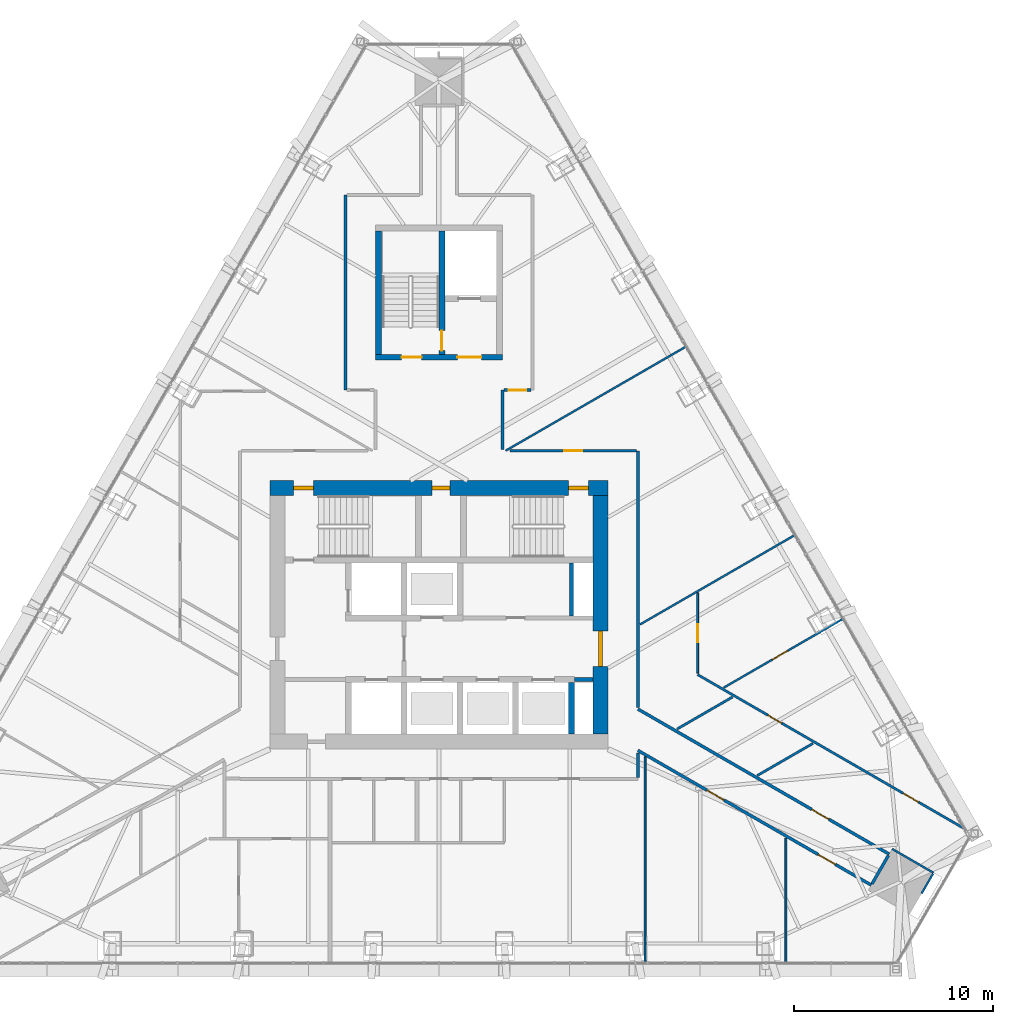
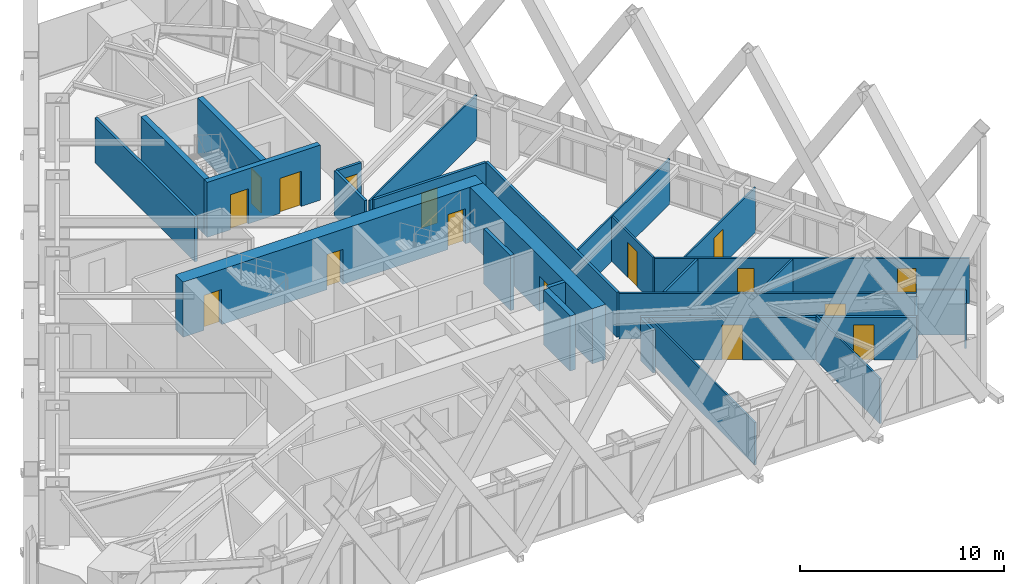
# One storey, part 22 of 25: 28 walls, 16 doors, 16 openings.
"""IFC4 building model written with IfcOpenShell, lengths in metres."""

from ifc_helpers import new_model, si_unit, direction, frame, frame_2d, origin, place, context, subcontext, project, spatial, rectangle, extrude, material, layer, layer_set, type_object, element, fill, save


model = new_model("IFC4")

# Units and contexts
model_context = context("Model", 3, precision=1e-05, world=origin(), true_north=direction((0.0, 1.0)))
body_context = subcontext(model_context, "Body", "Model", "MODEL_VIEW")
ifc_project = project(units=[si_unit("LENGTHUNIT", "METRE"), si_unit("AREAUNIT", "SQUARE_METRE"), si_unit("VOLUMEUNIT", "CUBIC_METRE"), si_unit("PLANEANGLEUNIT", "RADIAN"), si_unit("MASSUNIT", "GRAM", prefix="KILO")], contexts=[model_context])

# Site, building, storey
site_placement = place(None, origin())
site = spatial("IfcSite", under=ifc_project, at=site_placement, CompositionType="ELEMENT")
building_placement = place(site_placement, origin())
building = spatial("IfcBuilding", under=site, at=building_placement, Name="Firuza Gate Tower and Library", CompositionType="ELEMENT")
storey_placement = place(building_placement, frame((0.0, 0.0, 270.60009765625)))
storey = spatial("IfcBuildingStorey", under=building, at=storey_placement, Name="L64", CompositionType="ELEMENT", Elevation=270.60009765625)

# Walls
ifc_material_1 = material(Name="Plasterboard on steel studs", Category="steel")
ifc_layer_1 = layer(ifc_material_1, 0.199951171875)
ifc_layer_set_1 = layer_set([ifc_layer_1], Name="Core partition 200 EI 120")
wall_type_1 = type_object("IfcWallType", Name="Core partition 200 EI 120", PredefinedType="PARTITIONING", material=ifc_layer_set_1)
wall_1_placement = place(storey_placement, frame((81.800048828125, 71.75, 0.0), z_axis=(0.0, 0.0, 1.0), x_axis=(1.0, 0.0, 0.0)))
element("IfcWall", 1, at=wall_1_placement, inside=storey, type_object=wall_type_1, Name="Core partition L64 2", PredefinedType="PARTITIONING", context=body_context, shape_type="SweptSolid", body=[
    extrude(rectangle(XDim=0.949951171875, YDim=0.199951171875, at=frame_2d((0.47509765625, 0.0))), origin(), (0.0, 0.0, 1.0), 3.2998046875),
])
wall_2_placement = place(storey_placement, frame((81.64990234375, 74.949951171875, 0.0), z_axis=(0.0, 0.0, 1.0), x_axis=(0.0, 1.0, 0.0)))
element("IfcWall", 2, at=wall_2_placement, inside=storey, type_object=wall_type_1, Name="Core partition L64 5", PredefinedType="PARTITIONING", context=body_context, shape_type="SweptSolid", body=[
    extrude(rectangle(XDim=2.650146484375, YDim=0.199951171875, at=frame_2d((1.3251953125, 0.0))), origin(), (0.0, 0.0, 1.0), 3.2998046875),
])
ifc_material_2 = material(Name="Concrete C60/75", Category="concrete")
ifc_layer_2 = layer(ifc_material_2, 0.300048828125)
ifc_layer_set_2 = layer_set([ifc_layer_2], Name="Core wall 300 C60/75")
wall_type_2 = type_object("IfcWallType", Name="Core wall 300 C60/75", PredefinedType="SHEAR", material=ifc_layer_set_2)
wall_3_placement = place(storey_placement, frame((81.64990234375, 69.0, 0.0), z_axis=(0.0, 0.0, 1.0), x_axis=(0.0, 1.0, 0.0)))
element("IfcWall", 3, at=wall_3_placement, inside=storey, type_object=wall_type_2, Name="Core wall L64 14", PredefinedType="SHEAR", context=body_context, shape_type="SweptSolid", body=[
    extrude(rectangle(XDim=2.60009765625, YDim=0.300048828125, at=frame_2d((1.300048828125, 0.0))), origin(), (0.0, 0.0, 1.0), 3.2998046875),
])

# Wall, openings, doors
wall_4_placement = place(storey_placement, frame((71.800048828125, 87.949951171875, 0.0), z_axis=(0.0, 0.0, 1.0), x_axis=(1.0, 0.0, 0.0)))
wall_4 = element("IfcWall", 4, at=wall_4_placement, inside=storey, type_object=wall_type_2, Name="Core wall L64 18", PredefinedType="SHEAR", context=body_context, shape_type="SweptSolid", body=[
    extrude(rectangle(XDim=6.39990234375, YDim=0.300048828125, at=frame_2d((3.199951171875, 0.0))), origin(), (0.0, 0.0, 1.0), 3.2998046875),
])
opening_1_placement = place(wall_4_placement, frame((1.324951171875, 0.0, 0.0)))
opening_1 = element("IfcOpeningElement", 5, at=opening_1_placement, cuts=wall_4, Name="Opening L64-K11", PredefinedType="OPENING", context=body_context, shape_type="SweptSolid", body=[
    extrude(rectangle(XDim=1.0, YDim=2.10009765625, at=frame_2d((0.5, 1.050048828125))), frame((0.0, 0.16015625, 0.0), z_axis=(0.0, -1.0, 0.0), x_axis=(1.0, 0.0, 0.0)), (0.0, 0.0, 1.0), 0.320068359375),
])
opening_2_placement = place(wall_4_placement, frame((4.125, 0.0, 0.0)))
opening_2 = element("IfcOpeningElement", 6, at=opening_2_placement, cuts=wall_4, Name="Opening L64-K13", PredefinedType="OPENING", context=body_context, shape_type="SweptSolid", body=[
    extrude(rectangle(XDim=1.199951171875, YDim=2.10009765625, at=frame_2d((0.60009765625, 1.050048828125))), frame((0.0, 0.16015625, 0.0), z_axis=(0.0, -1.0, 0.0), x_axis=(1.0, 0.0, 0.0)), (0.0, 0.0, 1.0), 0.320068359375),
])
ifc_material_3 = material(Name="Steel", Category="steel")
door_type_1 = type_object("IfcDoorType", Name="Fire door 1000x2100 FD90", OperationType="NOTDEFINED", PredefinedType="DOOR", material=ifc_material_3)
door_1_placement = place(opening_1_placement, origin())
door_1 = element("IfcDoor", 7, at=door_1_placement, inside=storey, type_object=door_type_1, Name="Door L64-K11", OperationType="SINGLE_SWING_RIGHT", OverallHeight=2.10009765625, OverallWidth=1.0, PredefinedType="DOOR", context=body_context, shape_type="SweptSolid", body=[
    extrude(rectangle(XDim=1.0, YDim=2.10009765625, at=frame_2d((0.5, 1.050048828125))), frame((0.0, 0.02490234375, 0.0), z_axis=(0.0, -1.0, 0.0), x_axis=(1.0, 0.0, 0.0)), (0.0, 0.0, 1.0), 0.050048828125),
])
fill(opening_1, door_1)
ifc_material_4 = material(Name="Steel", Category="steel")
door_type_2 = type_object("IfcDoorType", Name="Fire door 1200x2100 FD30S", OperationType="NOTDEFINED", PredefinedType="DOOR", material=ifc_material_4)
door_2_placement = place(opening_2_placement, origin())
door_2 = element("IfcDoor", 8, at=door_2_placement, inside=storey, type_object=door_type_2, Name="Door L64-K13", OperationType="SINGLE_SWING_RIGHT", OverallHeight=2.10009765625, OverallWidth=1.199951171875, PredefinedType="DOOR", context=body_context, shape_type="SweptSolid", body=[
    extrude(rectangle(XDim=1.199951171875, YDim=2.10009765625, at=frame_2d((0.60009765625, 1.050048828125))), frame((0.0, 0.02490234375, 0.0), z_axis=(0.0, -1.0, 0.0), x_axis=(1.0, 0.0, 0.0)), (0.0, 0.0, 1.0), 0.050048828125),
])
fill(opening_2, door_2)

# Wall
wall_5_placement = place(storey_placement, frame((71.949951171875, 88.10009765625, 0.0), z_axis=(0.0, 0.0, 1.0), x_axis=(0.0, 1.0, 0.0)))
element("IfcWall", 9, at=wall_5_placement, inside=storey, type_object=wall_type_2, Name="Core wall L64 20", PredefinedType="SHEAR", context=body_context, shape_type="SweptSolid", body=[
    extrude(rectangle(XDim=6.199951171875, YDim=0.300048828125, at=frame_2d((3.10009765625, 0.0))), origin(), (0.0, 0.0, 1.0), 3.2998046875),
])

# Wall, opening, door
wall_6_placement = place(storey_placement, frame((75.14990234375, 88.10009765625, 0.0), z_axis=(0.0, 0.0, 1.0), x_axis=(0.0, 1.0, 0.0)))
wall_6 = element("IfcWall", 10, at=wall_6_placement, inside=storey, type_object=wall_type_2, Name="Core wall L64 23", PredefinedType="SHEAR", context=body_context, shape_type="SweptSolid", body=[
    extrude(rectangle(XDim=6.199951171875, YDim=0.300048828125, at=frame_2d((3.10009765625, 0.0))), origin(), (0.0, 0.0, 1.0), 3.2998046875),
])
opening_3_placement = place(wall_6_placement, frame((0.18505859375, 0.0, 0.0)))
opening_3 = element("IfcOpeningElement", 11, at=opening_3_placement, cuts=wall_6, Name="Opening L64-K12", PredefinedType="OPENING", context=body_context, shape_type="SweptSolid", body=[
    extrude(rectangle(XDim=1.0, YDim=2.10009765625, at=frame_2d((0.5, 1.050048828125))), frame((0.0, 0.16015625, 0.0), z_axis=(0.0, -1.0, 0.0), x_axis=(1.0, 0.0, 0.0)), (0.0, 0.0, 1.0), 0.320068359375),
])
door_3_placement = place(opening_3_placement, origin())
door_3 = element("IfcDoor", 12, at=door_3_placement, inside=storey, type_object=door_type_1, Name="Door L64-K12", OperationType="SINGLE_SWING_LEFT", OverallHeight=2.10009765625, OverallWidth=1.0, PredefinedType="DOOR", context=body_context, shape_type="SweptSolid", body=[
    extrude(rectangle(XDim=1.0, YDim=2.10009765625, at=frame_2d((0.5, 1.050048828125))), frame((0.0, 0.02490234375, 0.0), z_axis=(0.0, -1.0, 0.0), x_axis=(1.0, 0.0, 0.0)), (0.0, 0.0, 1.0), 0.050048828125),
])
fill(opening_3, door_3)

# Wall, openings, doors
ifc_material_5 = material(Name="Concrete C60/75", Category="concrete")
ifc_layer_3 = layer(ifc_material_5, 0.75)
ifc_layer_set_3 = layer_set([ifc_layer_3], Name="Core wall 750 C60/75")
wall_type_3 = type_object("IfcWallType", Name="Core wall 750 C60/75", PredefinedType="SHEAR", material=ifc_layer_set_3)
wall_7_placement = place(storey_placement, frame((66.5, 81.375, 0.0), z_axis=(0.0, 0.0, 1.0), x_axis=(1.0, 0.0, 0.0)))
wall_7 = element("IfcWall", 13, at=wall_7_placement, inside=storey, type_object=wall_type_3, Name="Core wall L64 2", PredefinedType="SHEAR", context=body_context, shape_type="SweptSolid", body=[
    extrude(rectangle(XDim=17.0, YDim=0.75, at=frame_2d((8.5, 0.0))), origin(), (0.0, 0.0, 1.0), 3.2998046875),
])
opening_4_placement = place(wall_7_placement, frame((1.195068359375, 0.0, 0.0)))
opening_4 = element("IfcOpeningElement", 14, at=opening_4_placement, cuts=wall_7, Name="Opening L64-K09", PredefinedType="OPENING", context=body_context, shape_type="SweptSolid", body=[
    extrude(rectangle(XDim=1.0, YDim=2.10009765625, at=frame_2d((0.5, 1.050048828125))), frame((0.0, 0.385009765625, 0.0), z_axis=(0.0, -1.0, 0.0), x_axis=(1.0, 0.0, 0.0)), (0.0, 0.0, 1.0), 0.77001953125),
])
opening_5_placement = place(wall_7_placement, frame((15.0048828125, 0.0, 0.0)))
opening_5 = element("IfcOpeningElement", 15, at=opening_5_placement, cuts=wall_7, Name="Opening L64-K10", PredefinedType="OPENING", context=body_context, shape_type="SweptSolid", body=[
    extrude(rectangle(XDim=1.0, YDim=2.10009765625, at=frame_2d((0.5, 1.050048828125))), frame((0.0, 0.385009765625, 0.0), z_axis=(0.0, -1.0, 0.0), x_axis=(1.0, 0.0, 0.0)), (0.0, 0.0, 1.0), 0.77001953125),
])
opening_6_placement = place(wall_7_placement, frame((8.14990234375, 0.0, 0.0)))
opening_6 = element("IfcOpeningElement", 16, at=opening_6_placement, cuts=wall_7, Name="Opening L64-K19", PredefinedType="OPENING", context=body_context, shape_type="SweptSolid", body=[
    extrude(rectangle(XDim=0.89990234375, YDim=2.10009765625, at=frame_2d((0.449951171875, 1.050048828125))), frame((0.0, 0.385009765625, 0.0), z_axis=(0.0, -1.0, 0.0), x_axis=(1.0, 0.0, 0.0)), (0.0, 0.0, 1.0), 0.77001953125),
])
door_4_placement = place(opening_4_placement, origin())
door_4 = element("IfcDoor", 17, at=door_4_placement, inside=storey, type_object=door_type_1, Name="Door L64-K09", OperationType="SINGLE_SWING_RIGHT", OverallHeight=2.10009765625, OverallWidth=1.0, PredefinedType="DOOR", context=body_context, shape_type="SweptSolid", body=[
    extrude(rectangle(XDim=1.0, YDim=2.10009765625, at=frame_2d((0.5, 1.050048828125))), frame((0.0, 0.094970703125, 0.0), z_axis=(0.0, -1.0, 0.0), x_axis=(1.0, 0.0, 0.0)), (0.0, 0.0, 1.0), 0.18994140625),
])
fill(opening_4, door_4)
door_5_placement = place(opening_5_placement, origin())
door_5 = element("IfcDoor", 18, at=door_5_placement, inside=storey, type_object=door_type_1, Name="Door L64-K10", OperationType="SINGLE_SWING_LEFT", OverallHeight=2.10009765625, OverallWidth=1.0, PredefinedType="DOOR", context=body_context, shape_type="SweptSolid", body=[
    extrude(rectangle(XDim=1.0, YDim=2.10009765625, at=frame_2d((0.5, 1.050048828125))), frame((0.0, 0.094970703125, 0.0), z_axis=(0.0, -1.0, 0.0), x_axis=(1.0, 0.0, 0.0)), (0.0, 0.0, 1.0), 0.18994140625),
])
fill(opening_5, door_5)
ifc_material_6 = material(Name="Steel", Category="steel")
door_type_3 = type_object("IfcDoorType", Name="Fire door 900x2100 FD30S", OperationType="NOTDEFINED", PredefinedType="DOOR", material=ifc_material_6)
door_6_placement = place(opening_6_placement, origin())
door_6 = element("IfcDoor", 19, at=door_6_placement, inside=storey, type_object=door_type_3, Name="Door L64-K19", OperationType="SINGLE_SWING_RIGHT", OverallHeight=2.10009765625, OverallWidth=0.89990234375, PredefinedType="DOOR", context=body_context, shape_type="SweptSolid", body=[
    extrude(rectangle(XDim=0.89990234375, YDim=2.10009765625, at=frame_2d((0.449951171875, 1.050048828125))), frame((0.0, 0.094970703125, 0.0), z_axis=(0.0, -1.0, 0.0), x_axis=(1.0, 0.0, 0.0)), (0.0, 0.0, 1.0), 0.18994140625),
])
fill(opening_6, door_6)

# Wall, opening, door
wall_8_placement = place(storey_placement, frame((83.125, 69.0, 0.0), z_axis=(0.0, 0.0, 1.0), x_axis=(0.0, 1.0, 0.0)))
wall_8 = element("IfcWall", 20, at=wall_8_placement, inside=storey, type_object=wall_type_3, Name="Core wall L64 4", PredefinedType="SHEAR", context=body_context, shape_type="SweptSolid", body=[
    extrude(rectangle(XDim=12.0, YDim=0.75, at=frame_2d((6.0, 0.0))), origin(), (0.0, 0.0, 1.0), 3.2998046875),
])
opening_7_placement = place(wall_8_placement, frame((3.39990234375, 0.0, 0.0)))
opening_7 = element("IfcOpeningElement", 21, at=opening_7_placement, cuts=wall_8, Name="Opening L64-K16", PredefinedType="OPENING", context=body_context, shape_type="SweptSolid", body=[
    extrude(rectangle(XDim=1.800048828125, YDim=2.10009765625, at=frame_2d((0.89990234375, 1.050048828125))), frame((0.0, 0.385009765625, 0.0), z_axis=(0.0, -1.0, 0.0), x_axis=(1.0, 0.0, 0.0)), (0.0, 0.0, 1.0), 0.77001953125),
])
ifc_material_7 = material(Name="Steel", Category="steel")
door_type_4 = type_object("IfcDoorType", Name="Fire door 1800x2100 FD30S", OperationType="NOTDEFINED", PredefinedType="DOOR", material=ifc_material_7)
door_7_placement = place(opening_7_placement, origin())
door_7 = element("IfcDoor", 22, at=door_7_placement, inside=storey, type_object=door_type_4, Name="Door L64-K16", OperationType="SINGLE_SWING_LEFT", OverallHeight=2.10009765625, OverallWidth=1.800048828125, PredefinedType="DOOR", context=body_context, shape_type="SweptSolid", body=[
    extrude(rectangle(XDim=1.800048828125, YDim=2.10009765625, at=frame_2d((0.89990234375, 1.050048828125))), frame((0.0, 0.094970703125, 0.0), z_axis=(0.0, -1.0, 0.0), x_axis=(1.0, 0.0, 0.0)), (0.0, 0.0, 1.0), 0.18994140625),
])
fill(opening_7, door_7)

ifc_material_8 = material(Name="Gypsum board partition")
ifc_layer_4 = layer(ifc_material_8, 0.14990234375)
ifc_layer_set_4 = layer_set([ifc_layer_4], Name="Corridor wall 150 double board on steel studs")
wall_type_4 = type_object("IfcWallType", Name="Corridor wall 150 double board on steel studs", PredefinedType="PARTITIONING", material=ifc_layer_set_4)
wall_9_placement = place(storey_placement, frame((84.924560546875, 83.25, 0.0), z_axis=(0.0, 0.0, 1.0), x_axis=(-1.0, 0.0, 0.0)))
wall_9 = element("IfcWall", 23, at=wall_9_placement, inside=storey, type_object=wall_type_4, Name="f:L64:w007", PredefinedType="PARTITIONING", context=body_context, shape_type="SweptSolid", body=[
    extrude(rectangle(XDim=6.344482421875, YDim=0.14990234375, at=frame_2d((3.17236328125, 0.0))), origin(), (0.0, 0.0, 1.0), 2.699951171875),
])
opening_8_placement = place(wall_9_placement, frame((2.72216796875, 0.0, 0.0)))
opening_8 = element("IfcOpeningElement", 24, at=opening_8_placement, cuts=wall_9, Name="Opening L64-08", PredefinedType="OPENING", context=body_context, shape_type="SweptSolid", body=[
    extrude(rectangle(XDim=0.89990234375, YDim=2.10009765625, at=frame_2d((0.449951171875, 1.050048828125))), frame((0.0, 0.0849609375, 0.0), z_axis=(0.0, -1.0, 0.0), x_axis=(1.0, 0.0, 0.0)), (0.0, 0.0, 1.0), 0.169921875),
])
ifc_material_9 = material(Name="Steel door and timber leaf", Category="steel")
door_type_5 = type_object("IfcDoorType", Name="Fire door 900 x 2100 steel frame, timber leaf", OperationType="NOTDEFINED", PredefinedType="DOOR", material=ifc_material_9)
door_8_placement = place(opening_8_placement, origin())
door_8 = element("IfcDoor", 25, at=door_8_placement, inside=storey, type_object=door_type_5, Name="f:L64:d008", OperationType="SINGLE_SWING_LEFT", OverallHeight=2.10009765625, OverallWidth=0.89990234375, PredefinedType="DOOR", context=body_context, shape_type="SweptSolid", body=[
    extrude(rectangle(XDim=0.89990234375, YDim=2.10009765625, at=frame_2d((0.449951171875, 1.050048828125))), frame((0.0, 0.02490234375, 0.0), z_axis=(0.0, -1.0, 0.0), x_axis=(1.0, 0.0, 0.0)), (0.0, 0.0, 1.0), 0.050048828125),
])
fill(opening_8, door_8)

wall_10_placement = place(storey_placement, frame((78.275146484375, 86.300048828125, 0.0), z_axis=(0.0, 0.0, 1.0), x_axis=(1.0, 0.0, 0.0)))
wall_10 = element("IfcWall", 26, at=wall_10_placement, inside=storey, type_object=wall_type_4, Name="f:L64:w010", PredefinedType="PARTITIONING", context=body_context, shape_type="SweptSolid", body=[
    extrude(rectangle(XDim=1.347900390625, YDim=0.14990234375, at=frame_2d((0.673828125, 0.0))), origin(), (0.0, 0.0, 1.0), 2.699951171875),
])
opening_9_placement = place(wall_10_placement, frame((0.223876953125, 0.0, 0.0)))
opening_9 = element("IfcOpeningElement", 27, at=opening_9_placement, cuts=wall_10, Name="Opening L64-11", PredefinedType="OPENING", context=body_context, shape_type="SweptSolid", body=[
    extrude(rectangle(XDim=0.89990234375, YDim=2.10009765625, at=frame_2d((0.449951171875, 1.050048828125))), frame((0.0, 0.0849609375, 0.0), z_axis=(0.0, -1.0, 0.0), x_axis=(1.0, 0.0, 0.0)), (0.0, 0.0, 1.0), 0.169921875),
])
door_9_placement = place(opening_9_placement, origin())
door_9 = element("IfcDoor", 28, at=door_9_placement, inside=storey, type_object=door_type_5, Name="f:L64:d011", OperationType="SINGLE_SWING_LEFT", OverallHeight=2.10009765625, OverallWidth=0.89990234375, PredefinedType="DOOR", context=body_context, shape_type="SweptSolid", body=[
    extrude(rectangle(XDim=0.89990234375, YDim=2.10009765625, at=frame_2d((0.449951171875, 1.050048828125))), frame((0.0, 0.02490234375, 0.0), z_axis=(0.0, -1.0, 0.0), x_axis=(1.0, 0.0, 0.0)), (0.0, 0.0, 1.0), 0.050048828125),
])
fill(opening_9, door_9)

# Walls
wall_11_placement = place(storey_placement, frame((96.7685546875, 61.47998046875, 0.0), z_axis=(0.0, 0.0, 1.0), x_axis=(0.500035172766, 0.866005095826, 0.0)))
element("IfcWall", 29, at=wall_11_placement, inside=storey, type_object=wall_type_4, Name="f:L64:w026", PredefinedType="PARTITIONING", context=body_context, shape_type="SweptSolid", body=[
    extrude(rectangle(XDim=1.64453125, YDim=0.14990234375, at=frame_2d((0.822265625, 0.0))), origin(), (0.0, 0.0, 1.0), 2.546875),
])
wall_12_placement = place(storey_placement, frame((85.0, 66.825439453125, 0.0), z_axis=(0.0, 0.0, 1.0), x_axis=(0.0, 1.0, 0.0)))
element("IfcWall", 30, at=wall_12_placement, inside=storey, type_object=wall_type_4, Name="f:L64:w031", PredefinedType="PARTITIONING", context=body_context, shape_type="SweptSolid", body=[
    extrude(rectangle(XDim=1.22509765625, YDim=0.14990234375, at=frame_2d((0.612548828125, 0.0))), origin(), (0.0, 0.0, 1.0), 2.546875),
])
wall_13_placement = place(storey_placement, frame((85.0, 70.352294921875, 0.0), z_axis=(0.0, 0.0, 1.0), x_axis=(0.0, 1.0, 0.0)))
element("IfcWall", 31, at=wall_13_placement, inside=storey, type_object=wall_type_4, Name="f:L64:w032", PredefinedType="PARTITIONING", context=body_context, shape_type="SweptSolid", body=[
    extrude(rectangle(XDim=12.897216796875, YDim=0.14990234375, at=frame_2d((6.44873046875, 0.0))), origin(), (0.0, 0.0, 1.0), 2.699951171875),
])
wall_14_placement = place(storey_placement, frame((78.199951171875, 83.324951171875, 0.0), z_axis=(0.0, 0.0, 1.0), x_axis=(0.0, 1.0, 0.0)))
element("IfcWall", 32, at=wall_14_placement, inside=storey, type_object=wall_type_4, Name="f:L64:w035", PredefinedType="PARTITIONING", context=body_context, shape_type="SweptSolid", body=[
    extrude(rectangle(XDim=2.97509765625, YDim=0.14990234375, at=frame_2d((1.487548828125, 0.0))), origin(), (0.0, 0.0, 1.0), 2.697021484375),
])
wall_15_placement = place(storey_placement, frame((70.300048828125, 86.302001953125, 0.0), z_axis=(0.0, 0.0, 1.0), x_axis=(0.0, 1.0, 0.0)))
element("IfcWall", 33, at=wall_15_placement, inside=storey, type_object=wall_type_4, Name="f:L64:w044", PredefinedType="PARTITIONING", context=body_context, shape_type="SweptSolid", body=[
    extrude(rectangle(XDim=9.7958984375, YDim=0.14990234375, at=frame_2d((4.89794921875, 0.0))), origin(), (0.0, 0.0, 1.0), 2.699951171875),
])

# Wall, opening, door
wall_16_placement = place(storey_placement, frame((85.0, 70.265869140625, 0.0), z_axis=(0.0, 0.0, 1.0), x_axis=(0.866026970734, -0.499997285954, 0.0)))
wall_16 = element("IfcWall", 34, at=wall_16_placement, inside=storey, type_object=wall_type_4, Name="f:L64:w058", PredefinedType="PARTITIONING", context=body_context, shape_type="SweptSolid", body=[
    extrude(rectangle(XDim=14.58447265625, YDim=0.14990234375, at=frame_2d((7.292236328125, 0.0))), origin(), (0.0, 0.0, 1.0), 2.699951171875),
])
opening_10_placement = place(wall_16_placement, frame((10.09423828125, 0.0, 0.0)))
opening_10 = element("IfcOpeningElement", 35, at=opening_10_placement, cuts=wall_16, Name="Opening L64-24", PredefinedType="OPENING", context=body_context, shape_type="SweptSolid", body=[
    extrude(rectangle(XDim=1.0, YDim=2.10009765625, at=frame_2d((0.5, 1.050048828125))), frame((0.0, 0.0849609375, 0.0), z_axis=(0.0, -1.0, 0.0), x_axis=(1.0, 0.0, 0.0)), (0.0, 0.0, 1.0), 0.169921875),
])
ifc_material_10 = material(Name="Steel door and timber leaf", Category="steel")
door_type_6 = type_object("IfcDoorType", Name="Fire door 1000 x 2100 steel frame, timber leaf", OperationType="NOTDEFINED", PredefinedType="DOOR", material=ifc_material_10)
door_10_placement = place(opening_10_placement, origin())
door_10 = element("IfcDoor", 36, at=door_10_placement, inside=storey, type_object=door_type_6, Name="f:L64:d024", OperationType="SINGLE_SWING_LEFT", OverallHeight=2.10009765625, OverallWidth=1.0, PredefinedType="DOOR", context=body_context, shape_type="SweptSolid", body=[
    extrude(rectangle(XDim=1.0, YDim=2.10009765625, at=frame_2d((0.5, 1.050048828125))), frame((0.0, 0.02490234375, 0.0), z_axis=(0.0, -1.0, 0.0), x_axis=(1.0, 0.0, 0.0)), (0.0, 0.0, 1.0), 0.050048828125),
])
fill(opening_10, door_10)

# Wall, openings, doors
wall_17_placement = place(storey_placement, frame((96.730224609375, 61.4150390625, 0.0), z_axis=(0.0, 0.0, 1.0), x_axis=(-0.866032805753, 0.499987179195, 0.0)))
wall_17 = element("IfcWall", 37, at=wall_17_placement, inside=storey, type_object=wall_type_4, Name="f:L64:w059", PredefinedType="PARTITIONING", context=body_context, shape_type="SweptSolid", body=[
    extrude(rectangle(XDim=13.544677734375, YDim=0.14990234375, at=frame_2d((6.7724609375, 0.0))), origin(), (0.0, 0.0, 1.0), 2.546875),
])
opening_11_placement = place(wall_17_placement, frame((2.078369140625, 0.0, 0.0)))
opening_11 = element("IfcOpeningElement", 38, at=opening_11_placement, cuts=wall_17, Name="Opening L64-25", PredefinedType="OPENING", context=body_context, shape_type="SweptSolid", body=[
    extrude(rectangle(XDim=1.0, YDim=2.10009765625, at=frame_2d((0.5, 1.050048828125))), frame((0.0, 0.0849609375, 0.0), z_axis=(0.0, -1.0, 0.0), x_axis=(1.0, 0.0, 0.0)), (0.0, 0.0, 1.0), 0.169921875),
])
opening_12_placement = place(wall_17_placement, frame((8.540283203125, 0.0, 0.0)))
opening_12 = element("IfcOpeningElement", 39, at=opening_12_placement, cuts=wall_17, Name="Opening L64-26", PredefinedType="OPENING", context=body_context, shape_type="SweptSolid", body=[
    extrude(rectangle(XDim=1.0, YDim=2.10009765625, at=frame_2d((0.5, 1.050048828125))), frame((0.0, 0.0849609375, 0.0), z_axis=(0.0, -1.0, 0.0), x_axis=(1.0, 0.0, 0.0)), (0.0, 0.0, 1.0), 0.169921875),
])
door_11_placement = place(opening_11_placement, origin())
door_11 = element("IfcDoor", 40, at=door_11_placement, inside=storey, type_object=door_type_6, Name="f:L64:d025", OperationType="SINGLE_SWING_RIGHT", OverallHeight=2.10009765625, OverallWidth=1.0, PredefinedType="DOOR", context=body_context, shape_type="SweptSolid", body=[
    extrude(rectangle(XDim=1.0, YDim=2.10009765625, at=frame_2d((0.5, 1.050048828125))), frame((0.0, 0.02490234375, 0.0), z_axis=(0.0, -1.0, 0.0), x_axis=(1.0, 0.0, 0.0)), (0.0, 0.0, 1.0), 0.050048828125),
])
fill(opening_11, door_11)
door_12_placement = place(opening_12_placement, origin())
door_12 = element("IfcDoor", 41, at=door_12_placement, inside=storey, type_object=door_type_6, Name="f:L64:d026", OperationType="SINGLE_SWING_LEFT", OverallHeight=2.10009765625, OverallWidth=1.0, PredefinedType="DOOR", context=body_context, shape_type="SweptSolid", body=[
    extrude(rectangle(XDim=1.0, YDim=2.10009765625, at=frame_2d((0.5, 1.050048828125))), frame((0.0, 0.02490234375, 0.0), z_axis=(0.0, -1.0, 0.0), x_axis=(1.0, 0.0, 0.0)), (0.0, 0.0, 1.0), 0.050048828125),
])
fill(opening_12, door_12)

# Wall, opening, door
ifc_material_11 = material(Name="Gypsum board partition")
ifc_layer_5 = layer(ifc_material_11, 0.10009765625)
ifc_layer_set_5 = layer_set([ifc_layer_5], Name="Partition 100 gypsum board on steel studs")
wall_type_5 = type_object("IfcWallType", Name="Partition 100 gypsum board on steel studs", PredefinedType="PARTITIONING", material=ifc_layer_set_5)
wall_18_placement = place(storey_placement, frame((89.310791015625, 71.340087890625, 0.0), z_axis=(0.0, 0.0, 1.0), x_axis=(0.866013442838, 0.500020716395, 0.0)))
wall_18 = element("IfcWall", 42, at=wall_18_placement, inside=storey, type_object=wall_type_5, Name="f:L64:w017", PredefinedType="PARTITIONING", context=body_context, shape_type="SweptSolid", body=[
    extrude(rectangle(XDim=6.920166015625, YDim=0.10009765625, at=frame_2d((3.4599609375, 0.0))), origin(), (0.0, 0.0, 1.0), 2.68798828125),
])
opening_13_placement = place(wall_18_placement, frame((2.830078125, 0.0, 0.0)))
opening_13 = element("IfcOpeningElement", 43, at=opening_13_placement, cuts=wall_18, Name="Opening L64-12", PredefinedType="OPENING", context=body_context, shape_type="SweptSolid", body=[
    extrude(rectangle(XDim=0.89990234375, YDim=2.10009765625, at=frame_2d((0.449951171875, 1.050048828125))), frame((0.0, 0.06005859375, 0.0), z_axis=(0.0, -1.0, 0.0), x_axis=(1.0, 0.0, 0.0)), (0.0, 0.0, 1.0), 0.1201171875),
])
ifc_material_12 = material(Name="Timber door", Category="wood")
door_type_7 = type_object("IfcDoorType", Name="Door 900 x 2100 timber leaf", OperationType="NOTDEFINED", PredefinedType="DOOR", material=ifc_material_12)
door_13_placement = place(opening_13_placement, origin())
door_13 = element("IfcDoor", 44, at=door_13_placement, inside=storey, type_object=door_type_7, Name="f:L64:d012", OperationType="SINGLE_SWING_LEFT", OverallHeight=2.10009765625, OverallWidth=0.89990234375, PredefinedType="DOOR", context=body_context, shape_type="SweptSolid", body=[
    extrude(rectangle(XDim=0.89990234375, YDim=2.10009765625, at=frame_2d((0.449951171875, 1.050048828125))), frame((0.0, 0.02490234375, 0.0), z_axis=(0.0, -1.0, 0.0), x_axis=(1.0, 0.0, 0.0)), (0.0, 0.0, 1.0), 0.050048828125),
])
fill(opening_13, door_13)

# Walls
wall_19_placement = place(storey_placement, frame((85.100830078125, 74.514404296875, 0.0), z_axis=(0.0, 0.0, 1.0), x_axis=(0.866020765707, 0.500008033299, 0.0)))
element("IfcWall", 45, at=wall_19_placement, inside=storey, type_object=wall_type_5, Name="f:L64:w018", PredefinedType="PARTITIONING", context=body_context, shape_type="SweptSolid", body=[
    extrude(rectangle(XDim=8.978759765625, YDim=0.10009765625, at=frame_2d((4.4892578125, 0.0))), origin(), (0.0, 0.0, 1.0), 2.68798828125),
])
wall_20_placement = place(storey_placement, frame((78.34716796875, 83.25, 0.0), z_axis=(0.0, 0.0, 1.0), x_axis=(0.866025448133, 0.499999923186, 0.0)))
element("IfcWall", 46, at=wall_20_placement, inside=storey, type_object=wall_type_5, Name="f:L64:w024", PredefinedType="PARTITIONING", context=body_context, shape_type="SweptSolid", body=[
    extrude(rectangle(XDim=10.4599609375, YDim=0.10009765625, at=frame_2d((5.22998046875, 0.0))), origin(), (0.0, 0.0, 1.0), 2.68798828125),
])
wall_21_placement = place(storey_placement, frame((99.25927734375, 60.993896484375, 0.0), z_axis=(0.0, 0.0, 1.0), x_axis=(0.499906209203, 0.866079547155, 0.0)))
element("IfcWall", 47, at=wall_21_placement, inside=storey, type_object=wall_type_5, Name="f:L64:w025", PredefinedType="PARTITIONING", context=body_context, shape_type="SweptSolid", body=[
    extrude(rectangle(XDim=1.150146484375, YDim=0.10009765625, at=frame_2d((0.5751953125, 0.0))), origin(), (0.0, 0.0, 1.0), 2.699951171875),
])
wall_22_placement = place(storey_placement, frame((92.43994140625, 57.516357421875, 0.0), z_axis=(0.0, 0.0, 1.0), x_axis=(0.0, 1.0, 0.0)))
element("IfcWall", 48, at=wall_22_placement, inside=storey, type_object=wall_type_5, Name="f:L64:w028", PredefinedType="PARTITIONING", context=body_context, shape_type="SweptSolid", body=[
    extrude(rectangle(XDim=6.2587890625, YDim=0.10009765625, at=frame_2d((3.12939453125, 0.0))), origin(), (0.0, 0.0, 1.0), 2.699951171875),
])

# Wall, opening, door
wall_23_placement = place(storey_placement, frame((88.0, 72.067138671875, 0.0), z_axis=(0.0, 0.0, 1.0), x_axis=(0.0, 1.0, 0.0)))
wall_23 = element("IfcWall", 49, at=wall_23_placement, inside=storey, type_object=wall_type_5, Name="f:L64:w029", PredefinedType="PARTITIONING", context=body_context, shape_type="SweptSolid", body=[
    extrude(rectangle(XDim=4.033203125, YDim=0.10009765625, at=frame_2d((2.0166015625, 0.0))), origin(), (0.0, 0.0, 1.0), 2.699951171875),
])
opening_14_placement = place(wall_23_placement, frame((1.566650390625, 0.0, 0.0)))
opening_14 = element("IfcOpeningElement", 50, at=opening_14_placement, cuts=wall_23, Name="Opening L64-18", PredefinedType="OPENING", context=body_context, shape_type="SweptSolid", body=[
    extrude(rectangle(XDim=0.89990234375, YDim=2.10009765625, at=frame_2d((0.449951171875, 1.050048828125))), frame((0.0, 0.06005859375, 0.0), z_axis=(0.0, -1.0, 0.0), x_axis=(1.0, 0.0, 0.0)), (0.0, 0.0, 1.0), 0.1201171875),
])
door_14_placement = place(opening_14_placement, origin())
door_14 = element("IfcDoor", 51, at=door_14_placement, inside=storey, type_object=door_type_7, Name="f:L64:d018", OperationType="SINGLE_SWING_LEFT", OverallHeight=2.10009765625, OverallWidth=0.89990234375, PredefinedType="DOOR", context=body_context, shape_type="SweptSolid", body=[
    extrude(rectangle(XDim=0.89990234375, YDim=2.10009765625, at=frame_2d((0.449951171875, 1.050048828125))), frame((0.0, 0.02490234375, 0.0), z_axis=(0.0, -1.0, 0.0), x_axis=(1.0, 0.0, 0.0)), (0.0, 0.0, 1.0), 0.050048828125),
])
fill(opening_14, door_14)

# Walls
wall_24_placement = place(storey_placement, frame((85.361083984375, 57.516357421875, 0.0), z_axis=(0.0, 0.0, 1.0), x_axis=(0.0, 1.0, 0.0)))
element("IfcWall", 52, at=wall_24_placement, inside=storey, type_object=wall_type_5, Name="f:L64:w030", PredefinedType="PARTITIONING", context=body_context, shape_type="SweptSolid", body=[
    extrude(rectangle(XDim=10.345703125, YDim=0.10009765625, at=frame_2d((5.1728515625, 0.0))), origin(), (0.0, 0.0, 1.0), 2.546875),
])
wall_25_placement = place(storey_placement, frame((99.859130859375, 62.033447265625, 0.0), z_axis=(0.0, 0.0, 1.0), x_axis=(-0.866050077142, 0.499957262057, 0.0)))
element("IfcWall", 53, at=wall_25_placement, inside=storey, type_object=wall_type_5, Name="f:L64:w057", PredefinedType="PARTITIONING", context=body_context, shape_type="SweptSolid", body=[
    extrude(rectangle(XDim=2.400146484375, YDim=0.10009765625, at=frame_2d((1.2001953125, 0.0))), origin(), (0.0, 0.0, 1.0), 2.699951171875),
])
ifc_material_13 = material(Name="Gypsum board partition")
ifc_layer_6 = layer(ifc_material_13, 0.1201171875)
ifc_layer_set_6 = layer_set([ifc_layer_6], Name="Wet-area partition 120 moisture-resistant board")
wall_type_6 = type_object("IfcWallType", Name="Wet-area partition 120 moisture-resistant board", PredefinedType="PARTITIONING", material=ifc_layer_set_6)
wall_26_placement = place(storey_placement, frame((91.004638671875, 66.925537109375, 0.0), z_axis=(0.0, 0.0, 1.0), x_axis=(0.866000447062, 0.500043223821, 0.0)))
element("IfcWall", 54, at=wall_26_placement, inside=storey, type_object=wall_type_6, Name="f:L64:w015", PredefinedType="PARTITIONING", context=body_context, shape_type="SweptSolid", body=[
    extrude(rectangle(XDim=3.228271484375, YDim=0.1201171875, at=frame_2d((1.6142578125, 0.0))), origin(), (0.0, 0.0, 1.0), 2.699951171875),
])
wall_27_placement = place(storey_placement, frame((86.96337890625, 69.258544921875, 0.0), z_axis=(0.0, 0.0, 1.0), x_axis=(0.866033195618, 0.499986503906, 0.0)))
element("IfcWall", 55, at=wall_27_placement, inside=storey, type_object=wall_type_6, Name="f:L64:w016", PredefinedType="PARTITIONING", context=body_context, shape_type="SweptSolid", body=[
    extrude(rectangle(XDim=3.22802734375, YDim=0.1201171875, at=frame_2d((1.614013671875, 0.0))), origin(), (0.0, 0.0, 1.0), 2.699951171875),
])

# Wall, openings, doors
wall_28_placement = place(storey_placement, frame((101.382568359375, 64.271484375, 0.0), z_axis=(0.0, 0.0, 1.0), x_axis=(-0.86602851656, 0.499994608475, 0.0)))
wall_28 = element("IfcWall", 56, at=wall_28_placement, inside=storey, type_object=wall_type_6, Name="f:L64:w055", PredefinedType="PARTITIONING", context=body_context, shape_type="SweptSolid", body=[
    extrude(rectangle(XDim=15.452880859375, YDim=0.1201171875, at=frame_2d((7.7265625, 0.0))), origin(), (0.0, 0.0, 1.0), 2.699951171875),
])
opening_15_placement = place(wall_28_placement, frame((2.625732421875, 0.0, 0.0)))
opening_15 = element("IfcOpeningElement", 57, at=opening_15_placement, cuts=wall_28, Name="Opening L64-22", PredefinedType="OPENING", context=body_context, shape_type="SweptSolid", body=[
    extrude(rectangle(XDim=0.89990234375, YDim=2.10009765625, at=frame_2d((0.449951171875, 1.050048828125))), frame((0.0, 0.070068359375, 0.0), z_axis=(0.0, -1.0, 0.0), x_axis=(1.0, 0.0, 0.0)), (0.0, 0.0, 1.0), 0.14013671875),
])
opening_16_placement = place(wall_28_placement, frame((10.5791015625, 0.0, 0.0)))
opening_16 = element("IfcOpeningElement", 58, at=opening_16_placement, cuts=wall_28, Name="Opening L64-23", PredefinedType="OPENING", context=body_context, shape_type="SweptSolid", body=[
    extrude(rectangle(XDim=0.800048828125, YDim=2.10009765625, at=frame_2d((0.39990234375, 1.050048828125))), frame((0.0, 0.070068359375, 0.0), z_axis=(0.0, -1.0, 0.0), x_axis=(1.0, 0.0, 0.0)), (0.0, 0.0, 1.0), 0.14013671875),
])
ifc_material_14 = material(Name="Timber door", Category="wood")
door_type_8 = type_object("IfcDoorType", Name="Door 800 x 2100 timber leaf", OperationType="NOTDEFINED", PredefinedType="DOOR", material=ifc_material_14)
door_15_placement = place(opening_16_placement, origin())
door_15 = element("IfcDoor", 59, at=door_15_placement, inside=storey, type_object=door_type_8, Name="f:L64:d023", OperationType="SINGLE_SWING_RIGHT", OverallHeight=2.10009765625, OverallWidth=0.800048828125, PredefinedType="DOOR", context=body_context, shape_type="SweptSolid", body=[
    extrude(rectangle(XDim=0.800048828125, YDim=2.10009765625, at=frame_2d((0.39990234375, 1.050048828125))), frame((0.0, 0.02490234375, 0.0), z_axis=(0.0, -1.0, 0.0), x_axis=(1.0, 0.0, 0.0)), (0.0, 0.0, 1.0), 0.050048828125),
])
fill(opening_16, door_15)
door_16_placement = place(opening_15_placement, origin())
door_16 = element("IfcDoor", 60, at=door_16_placement, inside=storey, type_object=door_type_7, Name="f:L64:d022", OperationType="SINGLE_SWING_LEFT", OverallHeight=2.10009765625, OverallWidth=0.89990234375, PredefinedType="DOOR", context=body_context, shape_type="SweptSolid", body=[
    extrude(rectangle(XDim=0.89990234375, YDim=2.10009765625, at=frame_2d((0.449951171875, 1.050048828125))), frame((0.0, 0.02490234375, 0.0), z_axis=(0.0, -1.0, 0.0), x_axis=(1.0, 0.0, 0.0)), (0.0, 0.0, 1.0), 0.050048828125),
])
fill(opening_15, door_16)

save(model, "model.ifc")
